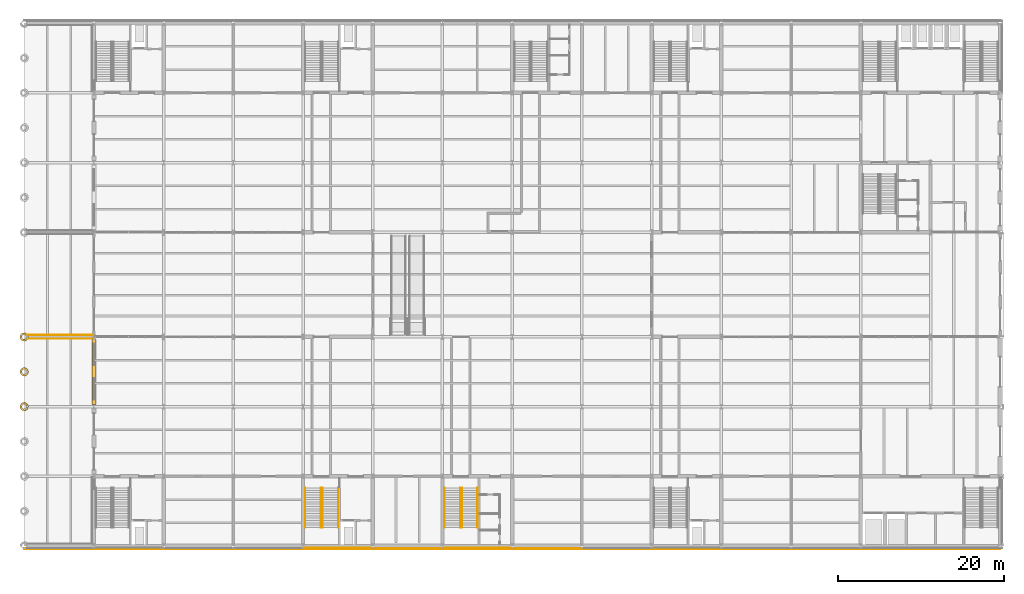
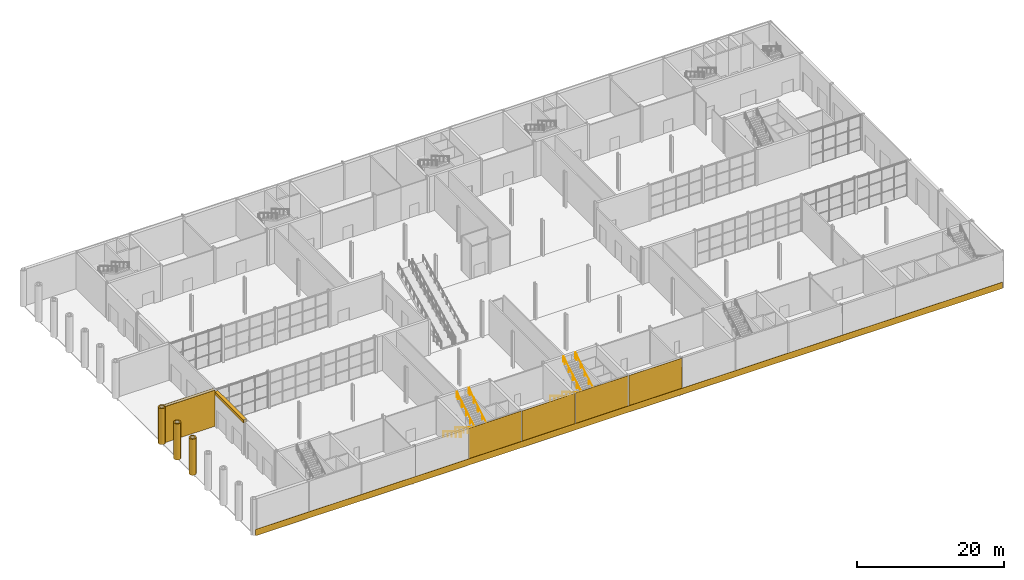
# One storey, part 42 of 55: 11 coverings, 8 railings.
"""IFC4 building model written with IfcOpenShell, lengths in metres."""

from ifc_helpers import new_model, si_unit, direction, frame, origin, origin_2d, place, context, subcontext, project, spatial, polyline, rectangle, circle, outline, extrude, material, layer, layer_set, type_object, element, save


model = new_model("IFC4")

# Units and contexts
model_context = context("Model", 3, precision=1e-05, world=origin(), true_north=direction((0.0, 1.0)))
body_context = subcontext(model_context, "Body", "Model", "MODEL_VIEW")
ifc_project = project(units=[si_unit("LENGTHUNIT", "METRE"), si_unit("AREAUNIT", "SQUARE_METRE"), si_unit("VOLUMEUNIT", "CUBIC_METRE"), si_unit("PLANEANGLEUNIT", "RADIAN"), si_unit("MASSUNIT", "GRAM", prefix="KILO")], contexts=[model_context])

# Site, building, storey
site_placement = place(None, origin())
site = spatial("IfcSite", under=ifc_project, at=site_placement, CompositionType="ELEMENT")
building_placement = place(site_placement, origin())
building = spatial("IfcBuilding", under=site, at=building_placement, Name="Galleria Vessillo Department Store", CompositionType="ELEMENT")
storey_placement = place(building_placement, origin())
storey = spatial("IfcBuildingStorey", under=building, at=storey_placement, Name="L00", CompositionType="ELEMENT", Elevation=0.0)

# Coverings
ifc_material_1 = material(Name="Lime plaster (intonaco) ochre")
ifc_layer_1 = layer(ifc_material_1, 0.030029296875)
ifc_layer_set_1 = layer_set([ifc_layer_1], Name="Lime plaster (intonaco) ochre")
covering_type_1 = type_object("IfcCoveringType", Name="Lime plaster render 30 mm", PredefinedType="CLADDING", material=ifc_layer_set_1)
covering_1_placement = place(storey_placement, frame((37.800048828125, -0.215087890625, 0.0), z_axis=(0.0, 0.0, 1.0), x_axis=(1.0, 0.0, 0.0)))
element("IfcCovering", 1, at=covering_1_placement, inside=storey, type_object=covering_type_1, Name="Wall cladding S-CW-PC-SM-PARTY-L00", PredefinedType="CLADDING", context=body_context, shape_type="SweptSolid", body=[
    extrude(rectangle(XDim=8.33984375, YDim=0.030029296875, at=origin_2d()), origin(), (0.0, 0.0, 1.0), 6.0),
])
for number, where, z_axis, x_axis, name in (
    (2, (46.199951171875, -0.264892578125, 0.0), (0.0, 0.0, 1.0), (1.0, 0.0, 0.0), "Wall cladding S-PS-L00-04"),
    (3, (54.599853515625, -0.215087890625, 0.0), (0.0, 0.0, 1.0), (1.0, 0.0, 0.0), "Wall cladding S-CW-PC-SC-PARTY-L00"),
    (4, (63.0, -0.264892578125, 0.0), (0.0, 0.0, 1.0), (1.0, 0.0, 0.0), "Wall cladding S-PS-L00-05"),
):
    element("IfcCovering", number, at=place(storey_placement, frame(where, z_axis=z_axis, x_axis=x_axis)), inside=storey, type_object=covering_type_1, Name=name, PredefinedType="CLADDING", context=body_context, shape_type="SweptSolid", body=[
        extrude(rectangle(XDim=8.340087890625, YDim=0.030029296875, at=origin_2d()), origin(), (0.0, 0.0, 1.0), 6.0),
    ])
ifc_material_2 = material(Name="Botticino limestone ashlar", Category="masonry")
ifc_layer_2 = layer(ifc_material_2, 0.195068359375)
ifc_layer_set_2 = layer_set([ifc_layer_2], Name="Botticino limestone ashlar")
covering_type_2 = type_object("IfcCoveringType", Name="Limestone column drum cladding 1000 mm", PredefinedType="CLADDING", material=ifc_layer_set_2)
covering_2_placement = place(storey_placement, origin())
element("IfcCovering", 5, at=covering_2_placement, inside=storey, type_object=covering_type_2, Name="Column drum cladding L00 y=16.8", PredefinedType="CLADDING", context=body_context, shape_type="SweptSolid", body=[
    extrude(outline(polyline([(0.5, 16.800048828125), (0.49560546875, 16.865234375), (0.48291015625, 16.929443359375), (0.4619140625, 16.991455078125), (0.43310546875, 17.050048828125), (0.396728515625, 17.1044921875), (0.353515625, 17.153564453125), (0.304443359375, 17.19677734375), (0.25, 17.233154296875), (0.19140625, 17.261962890625), (0.12939453125, 17.282958984375), (0.065185546875, 17.295654296875), (0.0, 17.300048828125), (-0.065185546875, 17.295654296875), (-0.12939453125, 17.282958984375), (-0.19140625, 17.261962890625), (-0.25, 17.233154296875), (-0.304443359375, 17.19677734375), (-0.353515625, 17.153564453125), (-0.396728515625, 17.1044921875), (-0.43310546875, 17.050048828125), (-0.4619140625, 16.991455078125), (-0.48291015625, 16.929443359375), (-0.49560546875, 16.865234375), (-0.5, 16.800048828125), (-0.49560546875, 16.73486328125), (-0.48291015625, 16.670654296875), (-0.4619140625, 16.608642578125), (-0.43310546875, 16.550048828125), (-0.396728515625, 16.49560546875), (-0.353515625, 16.446533203125), (-0.304443359375, 16.4033203125), (-0.25, 16.366943359375), (-0.19140625, 16.338134765625), (-0.12939453125, 16.317138671875), (-0.065185546875, 16.304443359375), (0.0, 16.300048828125), (0.065185546875, 16.304443359375), (0.12939453125, 16.317138671875), (0.19140625, 16.338134765625), (0.25, 16.366943359375), (0.304443359375, 16.4033203125), (0.353515625, 16.446533203125), (0.396728515625, 16.49560546875), (0.43310546875, 16.550048828125), (0.4619140625, 16.608642578125), (0.48291015625, 16.670654296875), (0.49560546875, 16.73486328125), (0.5, 16.800048828125)]), holes=[polyline([(0.3056640625, 16.800048828125), (0.302978515625, 16.83984375), (0.295166015625, 16.879150390625), (0.282470703125, 16.9169921875), (0.2646484375, 16.952880859375), (0.242431640625, 16.986083984375), (0.216064453125, 17.01611328125), (0.18603515625, 17.04248046875), (0.15283203125, 17.064697265625), (0.116943359375, 17.08251953125), (0.0791015625, 17.09521484375), (0.039794921875, 17.10302734375), (0.0, 17.105712890625), (-0.039794921875, 17.10302734375), (-0.0791015625, 17.09521484375), (-0.116943359375, 17.08251953125), (-0.15283203125, 17.064697265625), (-0.18603515625, 17.04248046875), (-0.216064453125, 17.01611328125), (-0.242431640625, 16.986083984375), (-0.2646484375, 16.952880859375), (-0.282470703125, 16.9169921875), (-0.295166015625, 16.879150390625), (-0.302978515625, 16.83984375), (-0.3056640625, 16.800048828125), (-0.302978515625, 16.76025390625), (-0.295166015625, 16.720947265625), (-0.282470703125, 16.68310546875), (-0.2646484375, 16.647216796875), (-0.242431640625, 16.614013671875), (-0.216064453125, 16.583984375), (-0.18603515625, 16.5576171875), (-0.15283203125, 16.535400390625), (-0.116943359375, 16.517578125), (-0.0791015625, 16.5048828125), (-0.039794921875, 16.4970703125), (0.0, 16.494384765625), (0.039794921875, 16.4970703125), (0.0791015625, 16.5048828125), (0.116943359375, 16.517578125), (0.15283203125, 16.535400390625), (0.18603515625, 16.5576171875), (0.216064453125, 16.583984375), (0.242431640625, 16.614013671875), (0.2646484375, 16.647216796875), (0.282470703125, 16.68310546875), (0.295166015625, 16.720947265625), (0.302978515625, 16.76025390625), (0.3056640625, 16.800048828125)])]), origin(), (0.0, 0.0, 1.0), 6.0),
])
covering_3_placement = place(storey_placement, origin())
element("IfcCovering", 6, at=covering_3_placement, inside=storey, type_object=covering_type_2, Name="Column drum cladding L00 y=21.0", PredefinedType="CLADDING", context=body_context, shape_type="SweptSolid", body=[
    extrude(outline(polyline([(0.5, 21.0), (0.49560546875, 21.065185546875), (0.48291015625, 21.12939453125), (0.4619140625, 21.19140625), (0.43310546875, 21.25), (0.396728515625, 21.304443359375), (0.353515625, 21.353515625), (0.304443359375, 21.396728515625), (0.25, 21.43310546875), (0.19140625, 21.4619140625), (0.12939453125, 21.48291015625), (0.065185546875, 21.49560546875), (0.0, 21.5), (-0.065185546875, 21.49560546875), (-0.12939453125, 21.48291015625), (-0.19140625, 21.4619140625), (-0.25, 21.43310546875), (-0.304443359375, 21.396728515625), (-0.353515625, 21.353515625), (-0.396728515625, 21.304443359375), (-0.43310546875, 21.25), (-0.4619140625, 21.19140625), (-0.48291015625, 21.12939453125), (-0.49560546875, 21.065185546875), (-0.5, 21.0), (-0.49560546875, 20.934814453125), (-0.48291015625, 20.87060546875), (-0.4619140625, 20.80859375), (-0.43310546875, 20.75), (-0.396728515625, 20.695556640625), (-0.353515625, 20.646484375), (-0.304443359375, 20.603271484375), (-0.25, 20.56689453125), (-0.19140625, 20.5380859375), (-0.12939453125, 20.51708984375), (-0.065185546875, 20.50439453125), (0.0, 20.5), (0.065185546875, 20.50439453125), (0.12939453125, 20.51708984375), (0.19140625, 20.5380859375), (0.25, 20.56689453125), (0.304443359375, 20.603271484375), (0.353515625, 20.646484375), (0.396728515625, 20.695556640625), (0.43310546875, 20.75), (0.4619140625, 20.80859375), (0.48291015625, 20.87060546875), (0.49560546875, 20.934814453125), (0.5, 21.0)]), holes=[polyline([(0.3056640625, 21.0), (0.302978515625, 21.039794921875), (0.295166015625, 21.0791015625), (0.282470703125, 21.116943359375), (0.2646484375, 21.15283203125), (0.242431640625, 21.18603515625), (0.216064453125, 21.216064453125), (0.18603515625, 21.242431640625), (0.15283203125, 21.2646484375), (0.116943359375, 21.282470703125), (0.0791015625, 21.295166015625), (0.039794921875, 21.302978515625), (0.0, 21.3056640625), (-0.039794921875, 21.302978515625), (-0.0791015625, 21.295166015625), (-0.116943359375, 21.282470703125), (-0.15283203125, 21.2646484375), (-0.18603515625, 21.242431640625), (-0.216064453125, 21.216064453125), (-0.242431640625, 21.18603515625), (-0.2646484375, 21.15283203125), (-0.282470703125, 21.116943359375), (-0.295166015625, 21.0791015625), (-0.302978515625, 21.039794921875), (-0.3056640625, 21.0), (-0.302978515625, 20.960205078125), (-0.295166015625, 20.9208984375), (-0.282470703125, 20.883056640625), (-0.2646484375, 20.84716796875), (-0.242431640625, 20.81396484375), (-0.216064453125, 20.783935546875), (-0.18603515625, 20.757568359375), (-0.15283203125, 20.7353515625), (-0.116943359375, 20.717529296875), (-0.0791015625, 20.704833984375), (-0.039794921875, 20.697021484375), (0.0, 20.6943359375), (0.039794921875, 20.697021484375), (0.0791015625, 20.704833984375), (0.116943359375, 20.717529296875), (0.15283203125, 20.7353515625), (0.18603515625, 20.757568359375), (0.216064453125, 20.783935546875), (0.242431640625, 20.81396484375), (0.2646484375, 20.84716796875), (0.282470703125, 20.883056640625), (0.295166015625, 20.9208984375), (0.302978515625, 20.960205078125), (0.3056640625, 21.0)])]), origin(), (0.0, 0.0, 1.0), 6.0),
])
covering_4_placement = place(storey_placement, origin())
element("IfcCovering", 7, at=covering_4_placement, inside=storey, type_object=covering_type_2, Name="Column drum cladding L00 y=25.2", PredefinedType="CLADDING", context=body_context, shape_type="SweptSolid", body=[
    extrude(outline(polyline([(0.5, 25.199951171875), (0.49560546875, 25.26513671875), (0.48291015625, 25.329345703125), (0.4619140625, 25.391357421875), (0.43310546875, 25.449951171875), (0.396728515625, 25.50439453125), (0.353515625, 25.553466796875), (0.304443359375, 25.5966796875), (0.25, 25.633056640625), (0.19140625, 25.661865234375), (0.12939453125, 25.682861328125), (0.065185546875, 25.695556640625), (0.0, 25.699951171875), (-0.065185546875, 25.695556640625), (-0.12939453125, 25.682861328125), (-0.19140625, 25.661865234375), (-0.25, 25.633056640625), (-0.304443359375, 25.5966796875), (-0.353515625, 25.553466796875), (-0.396728515625, 25.50439453125), (-0.43310546875, 25.449951171875), (-0.4619140625, 25.391357421875), (-0.48291015625, 25.329345703125), (-0.49560546875, 25.26513671875), (-0.5, 25.199951171875), (-0.49560546875, 25.134765625), (-0.48291015625, 25.070556640625), (-0.4619140625, 25.008544921875), (-0.43310546875, 24.949951171875), (-0.396728515625, 24.8955078125), (-0.353515625, 24.846435546875), (-0.304443359375, 24.80322265625), (-0.25, 24.766845703125), (-0.19140625, 24.738037109375), (-0.12939453125, 24.717041015625), (-0.065185546875, 24.704345703125), (0.0, 24.699951171875), (0.065185546875, 24.704345703125), (0.12939453125, 24.717041015625), (0.19140625, 24.738037109375), (0.25, 24.766845703125), (0.304443359375, 24.80322265625), (0.353515625, 24.846435546875), (0.396728515625, 24.8955078125), (0.43310546875, 24.949951171875), (0.4619140625, 25.008544921875), (0.48291015625, 25.070556640625), (0.49560546875, 25.134765625), (0.5, 25.199951171875)]), holes=[polyline([(0.3056640625, 25.199951171875), (0.302978515625, 25.23974609375), (0.295166015625, 25.279052734375), (0.282470703125, 25.31689453125), (0.2646484375, 25.352783203125), (0.242431640625, 25.385986328125), (0.216064453125, 25.416015625), (0.18603515625, 25.4423828125), (0.15283203125, 25.464599609375), (0.116943359375, 25.482421875), (0.0791015625, 25.4951171875), (0.039794921875, 25.5029296875), (0.0, 25.505615234375), (-0.039794921875, 25.5029296875), (-0.0791015625, 25.4951171875), (-0.116943359375, 25.482421875), (-0.15283203125, 25.464599609375), (-0.18603515625, 25.4423828125), (-0.216064453125, 25.416015625), (-0.242431640625, 25.385986328125), (-0.2646484375, 25.352783203125), (-0.282470703125, 25.31689453125), (-0.295166015625, 25.279052734375), (-0.302978515625, 25.23974609375), (-0.3056640625, 25.199951171875), (-0.302978515625, 25.16015625), (-0.295166015625, 25.120849609375), (-0.282470703125, 25.0830078125), (-0.2646484375, 25.047119140625), (-0.242431640625, 25.013916015625), (-0.216064453125, 24.98388671875), (-0.18603515625, 24.95751953125), (-0.15283203125, 24.935302734375), (-0.116943359375, 24.91748046875), (-0.0791015625, 24.90478515625), (-0.039794921875, 24.89697265625), (0.0, 24.894287109375), (0.039794921875, 24.89697265625), (0.0791015625, 24.90478515625), (0.116943359375, 24.91748046875), (0.15283203125, 24.935302734375), (0.18603515625, 24.95751953125), (0.216064453125, 24.98388671875), (0.242431640625, 25.013916015625), (0.2646484375, 25.047119140625), (0.282470703125, 25.0830078125), (0.295166015625, 25.120849609375), (0.302978515625, 25.16015625), (0.3056640625, 25.199951171875)])]), origin(), (0.0, 0.0, 1.0), 6.0),
])
ifc_material_3 = material(Name="Botticino limestone ashlar", Category="masonry")
ifc_layer_3 = layer(ifc_material_3, 0.10009765625)
ifc_layer_set_3 = layer_set([ifc_layer_3], Name="Botticino limestone ashlar")
covering_type_3 = type_object("IfcCoveringType", Name="Limestone flank plinth 1000 x 100", PredefinedType="MOLDING", material=ifc_layer_set_3)
covering_5_placement = place(storey_placement, frame((117.60009765625, 0.0, 0.0), z_axis=(-1.0, 0.0, 0.0), x_axis=(0.0, -1.0, 0.0)))
element("IfcCovering", 8, at=covering_5_placement, inside=storey, type_object=covering_type_3, Name="Flank plinth S", PredefinedType="MOLDING", context=body_context, shape_type="SweptSolid", body=[
    extrude(outline(polyline([(0.280029296875, 0.0), (0.3798828125, 0.0), (0.3798828125, 0.85009765625), (0.340087890625, 1.0), (0.280029296875, 1.0), (0.280029296875, 0.0)])), origin(), (0.0, 0.0, 1.0), 117.60009765625),
])
ifc_material_4 = material(Name="Botticino limestone ashlar", Category="masonry")
ifc_layer_4 = layer(ifc_material_4, 0.5)
ifc_layer_set_4 = layer_set([ifc_layer_4], Name="Botticino limestone ashlar")
covering_type_4 = type_object("IfcCoveringType", Name="Limestone lintel frieze 500 mm", PredefinedType="CLADDING", material=ifc_layer_set_4)
covering_6_placement = place(storey_placement, frame((8.39990234375, 20.9580078125, 5.35986328125), z_axis=(0.0, 0.0, 1.0), x_axis=(1.0, 0.0, 0.0)))
element("IfcCovering", 9, at=covering_6_placement, inside=storey, type_object=covering_type_4, Name="Lintel frieze LB-L00-02", PredefinedType="CLADDING", context=body_context, shape_type="SweptSolid", body=[
    extrude(rectangle(XDim=0.5, YDim=7.81591796875, at=origin_2d()), origin(), (0.0, 0.0, 1.0), 0.490234375),
])
ifc_material_5 = material(Name="Botticino limestone ashlar", Category="masonry")
ifc_layer_5 = layer(ifc_material_5, 0.050048828125)
ifc_layer_set_5 = layer_set([ifc_layer_5], Name="Botticino limestone ashlar")
covering_type_5 = type_object("IfcCoveringType", Name="Limestone portal reveal cladding 50 mm", PredefinedType="CLADDING", material=ifc_layer_set_5)
for number, where, z_axis, x_axis, name in (
    (10, (4.276123046875, 24.974853515625, 0.0), (0.0, 0.0, 1.0), (1.0, 0.0, 0.0), "Portal reveal cladding PW-S-L00-01 a"),
    (11, (4.276123046875, 25.425048828125, 0.0), (0.0, 0.0, 1.0), (1.0, 0.0, 0.0), "Portal reveal cladding PW-S-L00-01 b"),
):
    element("IfcCovering", number, at=place(storey_placement, frame(where, z_axis=z_axis, x_axis=x_axis)), inside=storey, type_object=covering_type_5, Name=name, PredefinedType="CLADDING", context=body_context, shape_type="SweptSolid", body=[
        extrude(rectangle(XDim=7.9423828125, YDim=0.050048828125, at=origin_2d()), origin(), (0.0, 0.0, 1.0), 6.0),
    ])

# Railings
ifc_material_6 = material(Name="Stainless steel tube", Category="steel")
railing_type = type_object("IfcRailingType", Name="Stair handrail steel tube 48 mm", PredefinedType="HANDRAIL", material=ifc_material_6)
railing_1_placement = place(storey_placement, frame((35.739990234375, 7.0, 0.166748046875)))
element("IfcRailing", 12, at=railing_1_placement, inside=storey, type_object=railing_type, Name="Handrail ST3 L00 flight 1A", PredefinedType="HANDRAIL", context=body_context, shape_type="SweptSolid", body=[
    extrude(circle(Radius=0.02392578125, at=origin_2d()), frame((0.0, 0.0, 0.89599609375), z_axis=(0.0, -0.859371278866, 0.511352134112), x_axis=(1.0, 0.0, 0.0)), (0.0, 0.0, 1.0), 1.303466796875),
    extrude(circle(Radius=0.02392578125, at=origin_2d()), frame((0.0, -1.1201171875, 1.5625), z_axis=(0.0, -0.859239953289, 0.511572773584), x_axis=(1.0, 0.0, 0.0)), (0.0, 0.0, 1.0), 1.30322265625),
    extrude(circle(Radius=0.02392578125, at=origin_2d()), frame((0.0, -2.239990234375, 2.22900390625), z_axis=(0.0, -0.859288964532, 0.511490445104), x_axis=(1.0, 0.0, 0.0)), (0.0, 0.0, 1.0), 1.303466796875),
    extrude(circle(Radius=0.02392578125, at=origin_2d()), frame((0.0, -3.360107421875, 2.89599609375), z_axis=(0.0, -0.85932228943, 0.511434456103), x_axis=(1.0, 0.0, 0.0)), (0.0, 0.0, 1.0), 1.30322265625),
    extrude(circle(Radius=0.02392578125, at=origin_2d()), frame((0.0, -4.47998046875, 3.5625), z_axis=(0.0, -0.859206643714, 0.511628716353), x_axis=(1.0, 0.0, 0.0)), (0.0, 0.0, 1.0), 0.325927734375),
    extrude(circle(Radius=0.02099609375, at=origin_2d()), origin(), (0.0, 0.0, 1.0), 0.871826171875),
    extrude(circle(Radius=0.02099609375, at=origin_2d()), frame((0.0, -1.1201171875, 0.66650390625)), (0.0, 0.0, 1.0), 0.871826171875),
    extrude(circle(Radius=0.02099609375, at=origin_2d()), frame((0.0, -2.239990234375, 1.333251953125)), (0.0, 0.0, 1.0), 0.871826171875),
    extrude(circle(Radius=0.02099609375, at=origin_2d()), frame((0.0, -3.360107421875, 2.0)), (0.0, 0.0, 1.0), 0.871826171875),
    extrude(circle(Radius=0.02099609375, at=origin_2d()), frame((0.0, -4.47998046875, 2.66650390625)), (0.0, 0.0, 1.0), 0.871826171875),
    extrude(circle(Radius=0.02099609375, at=origin_2d()), frame((0.0, -4.760009765625, 2.833251953125)), (0.0, 0.0, 1.0), 0.871826171875),
])
railing_2_placement = place(storey_placement, frame((33.860107421875, 7.0, 0.166748046875)))
element("IfcRailing", 13, at=railing_2_placement, inside=storey, type_object=railing_type, Name="Handrail ST3 L00 flight 1B", PredefinedType="HANDRAIL", context=body_context, shape_type="SweptSolid", body=[
    extrude(circle(Radius=0.02392578125, at=origin_2d()), frame((0.0, 0.0, 0.89599609375), z_axis=(0.0, -0.859371278866, 0.511352134112), x_axis=(1.0, 0.0, 0.0)), (0.0, 0.0, 1.0), 1.303466796875),
    extrude(circle(Radius=0.02392578125, at=origin_2d()), frame((0.0, -1.1201171875, 1.5625), z_axis=(0.0, -0.859239953289, 0.511572773584), x_axis=(1.0, 0.0, 0.0)), (0.0, 0.0, 1.0), 1.30322265625),
    extrude(circle(Radius=0.02392578125, at=origin_2d()), frame((0.0, -2.239990234375, 2.22900390625), z_axis=(0.0, -0.859288964532, 0.511490445104), x_axis=(1.0, 0.0, 0.0)), (0.0, 0.0, 1.0), 1.303466796875),
    extrude(circle(Radius=0.02392578125, at=origin_2d()), frame((0.0, -3.360107421875, 2.89599609375), z_axis=(0.0, -0.85932228943, 0.511434456103), x_axis=(1.0, 0.0, 0.0)), (0.0, 0.0, 1.0), 1.30322265625),
    extrude(circle(Radius=0.02392578125, at=origin_2d()), frame((0.0, -4.47998046875, 3.5625), z_axis=(0.0, -0.859206643714, 0.511628716353), x_axis=(1.0, 0.0, 0.0)), (0.0, 0.0, 1.0), 0.325927734375),
    extrude(circle(Radius=0.02099609375, at=origin_2d()), origin(), (0.0, 0.0, 1.0), 0.871826171875),
    extrude(circle(Radius=0.02099609375, at=origin_2d()), frame((0.0, -1.1201171875, 0.66650390625)), (0.0, 0.0, 1.0), 0.871826171875),
    extrude(circle(Radius=0.02099609375, at=origin_2d()), frame((0.0, -2.239990234375, 1.333251953125)), (0.0, 0.0, 1.0), 0.871826171875),
    extrude(circle(Radius=0.02099609375, at=origin_2d()), frame((0.0, -3.360107421875, 2.0)), (0.0, 0.0, 1.0), 0.871826171875),
    extrude(circle(Radius=0.02099609375, at=origin_2d()), frame((0.0, -4.47998046875, 2.66650390625)), (0.0, 0.0, 1.0), 0.871826171875),
    extrude(circle(Radius=0.02099609375, at=origin_2d()), frame((0.0, -4.760009765625, 2.833251953125)), (0.0, 0.0, 1.0), 0.871826171875),
])
railing_3_placement = place(storey_placement, frame((35.9599609375, 2.239990234375, 3.166748046875)))
element("IfcRailing", 14, at=railing_3_placement, inside=storey, type_object=railing_type, Name="Handrail ST3 L00 flight 2A", PredefinedType="HANDRAIL", context=body_context, shape_type="SweptSolid", body=[
    extrude(circle(Radius=0.02392578125, at=origin_2d()), frame((0.0, 0.0, 0.89599609375), z_axis=(0.0, 0.859371278866, 0.511352134112), x_axis=(-1.0, 0.0, 0.0)), (0.0, 0.0, 1.0), 1.303466796875),
    extrude(circle(Radius=0.02392578125, at=origin_2d()), frame((0.0, 1.1201171875, 1.5625), z_axis=(0.0, 0.859239953289, 0.511572773584), x_axis=(-1.0, 0.0, 0.0)), (0.0, 0.0, 1.0), 1.30322265625),
    extrude(circle(Radius=0.02392578125, at=origin_2d()), frame((0.0, 2.239990234375, 2.22900390625), z_axis=(0.0, 0.859288964532, 0.511490445104), x_axis=(-1.0, 0.0, 0.0)), (0.0, 0.0, 1.0), 1.303466796875),
    extrude(circle(Radius=0.02392578125, at=origin_2d()), frame((0.0, 3.360107421875, 2.89599609375), z_axis=(0.0, 0.85932228943, 0.511434456103), x_axis=(-1.0, 0.0, 0.0)), (0.0, 0.0, 1.0), 1.30322265625),
    extrude(circle(Radius=0.02392578125, at=origin_2d()), frame((0.0, 4.47998046875, 3.5625), z_axis=(0.0, 0.859206643714, 0.511628716353), x_axis=(-1.0, 0.0, 0.0)), (0.0, 0.0, 1.0), 0.325927734375),
    extrude(circle(Radius=0.02099609375, at=origin_2d()), origin(), (0.0, 0.0, 1.0), 0.871826171875),
    extrude(circle(Radius=0.02099609375, at=origin_2d()), frame((0.0, 1.1201171875, 0.66650390625)), (0.0, 0.0, 1.0), 0.871826171875),
    extrude(circle(Radius=0.02099609375, at=origin_2d()), frame((0.0, 2.239990234375, 1.333251953125)), (0.0, 0.0, 1.0), 0.871826171875),
    extrude(circle(Radius=0.02099609375, at=origin_2d()), frame((0.0, 3.360107421875, 2.0)), (0.0, 0.0, 1.0), 0.871826171875),
    extrude(circle(Radius=0.02099609375, at=origin_2d()), frame((0.0, 4.47998046875, 2.66650390625)), (0.0, 0.0, 1.0), 0.871826171875),
    extrude(circle(Radius=0.02099609375, at=origin_2d()), frame((0.0, 4.760009765625, 2.833251953125)), (0.0, 0.0, 1.0), 0.871826171875),
])
railing_4_placement = place(storey_placement, frame((37.83984375, 2.239990234375, 3.166748046875)))
element("IfcRailing", 15, at=railing_4_placement, inside=storey, type_object=railing_type, Name="Handrail ST3 L00 flight 2B", PredefinedType="HANDRAIL", context=body_context, shape_type="SweptSolid", body=[
    extrude(circle(Radius=0.02392578125, at=origin_2d()), frame((0.0, 0.0, 0.89599609375), z_axis=(0.0, 0.859371278866, 0.511352134112), x_axis=(-1.0, 0.0, 0.0)), (0.0, 0.0, 1.0), 1.303466796875),
    extrude(circle(Radius=0.02392578125, at=origin_2d()), frame((0.0, 1.1201171875, 1.5625), z_axis=(0.0, 0.859239953289, 0.511572773584), x_axis=(-1.0, 0.0, 0.0)), (0.0, 0.0, 1.0), 1.30322265625),
    extrude(circle(Radius=0.02392578125, at=origin_2d()), frame((0.0, 2.239990234375, 2.22900390625), z_axis=(0.0, 0.859288964532, 0.511490445104), x_axis=(-1.0, 0.0, 0.0)), (0.0, 0.0, 1.0), 1.303466796875),
    extrude(circle(Radius=0.02392578125, at=origin_2d()), frame((0.0, 3.360107421875, 2.89599609375), z_axis=(0.0, 0.85932228943, 0.511434456103), x_axis=(-1.0, 0.0, 0.0)), (0.0, 0.0, 1.0), 1.30322265625),
    extrude(circle(Radius=0.02392578125, at=origin_2d()), frame((0.0, 4.47998046875, 3.5625), z_axis=(0.0, 0.859206643714, 0.511628716353), x_axis=(-1.0, 0.0, 0.0)), (0.0, 0.0, 1.0), 0.325927734375),
    extrude(circle(Radius=0.02099609375, at=origin_2d()), origin(), (0.0, 0.0, 1.0), 0.871826171875),
    extrude(circle(Radius=0.02099609375, at=origin_2d()), frame((0.0, 1.1201171875, 0.66650390625)), (0.0, 0.0, 1.0), 0.871826171875),
    extrude(circle(Radius=0.02099609375, at=origin_2d()), frame((0.0, 2.239990234375, 1.333251953125)), (0.0, 0.0, 1.0), 0.871826171875),
    extrude(circle(Radius=0.02099609375, at=origin_2d()), frame((0.0, 3.360107421875, 2.0)), (0.0, 0.0, 1.0), 0.871826171875),
    extrude(circle(Radius=0.02099609375, at=origin_2d()), frame((0.0, 4.47998046875, 2.66650390625)), (0.0, 0.0, 1.0), 0.871826171875),
    extrude(circle(Radius=0.02099609375, at=origin_2d()), frame((0.0, 4.760009765625, 2.833251953125)), (0.0, 0.0, 1.0), 0.871826171875),
])
railing_5_placement = place(storey_placement, frame((52.5400390625, 7.0, 0.166748046875)))
element("IfcRailing", 16, at=railing_5_placement, inside=storey, type_object=railing_type, Name="Handrail ST10 L00 flight 1A", PredefinedType="HANDRAIL", context=body_context, shape_type="SweptSolid", body=[
    extrude(circle(Radius=0.02392578125, at=origin_2d()), frame((0.0, 0.0, 0.89599609375), z_axis=(0.0, -0.859371278866, 0.511352134112), x_axis=(1.0, 0.0, 0.0)), (0.0, 0.0, 1.0), 1.303466796875),
    extrude(circle(Radius=0.02392578125, at=origin_2d()), frame((0.0, -1.1201171875, 1.5625), z_axis=(0.0, -0.859239953289, 0.511572773584), x_axis=(1.0, 0.0, 0.0)), (0.0, 0.0, 1.0), 1.30322265625),
    extrude(circle(Radius=0.02392578125, at=origin_2d()), frame((0.0, -2.239990234375, 2.22900390625), z_axis=(0.0, -0.859288964532, 0.511490445104), x_axis=(1.0, 0.0, 0.0)), (0.0, 0.0, 1.0), 1.303466796875),
    extrude(circle(Radius=0.02392578125, at=origin_2d()), frame((0.0, -3.360107421875, 2.89599609375), z_axis=(0.0, -0.85932228943, 0.511434456103), x_axis=(1.0, 0.0, 0.0)), (0.0, 0.0, 1.0), 1.30322265625),
    extrude(circle(Radius=0.02392578125, at=origin_2d()), frame((0.0, -4.47998046875, 3.5625), z_axis=(0.0, -0.859206643714, 0.511628716353), x_axis=(1.0, 0.0, 0.0)), (0.0, 0.0, 1.0), 0.325927734375),
    extrude(circle(Radius=0.02099609375, at=origin_2d()), origin(), (0.0, 0.0, 1.0), 0.871826171875),
    extrude(circle(Radius=0.02099609375, at=origin_2d()), frame((0.0, -1.1201171875, 0.66650390625)), (0.0, 0.0, 1.0), 0.871826171875),
    extrude(circle(Radius=0.02099609375, at=origin_2d()), frame((0.0, -2.239990234375, 1.333251953125)), (0.0, 0.0, 1.0), 0.871826171875),
    extrude(circle(Radius=0.02099609375, at=origin_2d()), frame((0.0, -3.360107421875, 2.0)), (0.0, 0.0, 1.0), 0.871826171875),
    extrude(circle(Radius=0.02099609375, at=origin_2d()), frame((0.0, -4.47998046875, 2.66650390625)), (0.0, 0.0, 1.0), 0.871826171875),
    extrude(circle(Radius=0.02099609375, at=origin_2d()), frame((0.0, -4.760009765625, 2.833251953125)), (0.0, 0.0, 1.0), 0.871826171875),
])
railing_6_placement = place(storey_placement, frame((50.66015625, 7.0, 0.166748046875)))
element("IfcRailing", 17, at=railing_6_placement, inside=storey, type_object=railing_type, Name="Handrail ST10 L00 flight 1B", PredefinedType="HANDRAIL", context=body_context, shape_type="SweptSolid", body=[
    extrude(circle(Radius=0.02392578125, at=origin_2d()), frame((0.0, 0.0, 0.89599609375), z_axis=(0.0, -0.859371278866, 0.511352134112), x_axis=(1.0, 0.0, 0.0)), (0.0, 0.0, 1.0), 1.303466796875),
    extrude(circle(Radius=0.02392578125, at=origin_2d()), frame((0.0, -1.1201171875, 1.5625), z_axis=(0.0, -0.859239953289, 0.511572773584), x_axis=(1.0, 0.0, 0.0)), (0.0, 0.0, 1.0), 1.30322265625),
    extrude(circle(Radius=0.02392578125, at=origin_2d()), frame((0.0, -2.239990234375, 2.22900390625), z_axis=(0.0, -0.859288964532, 0.511490445104), x_axis=(1.0, 0.0, 0.0)), (0.0, 0.0, 1.0), 1.303466796875),
    extrude(circle(Radius=0.02392578125, at=origin_2d()), frame((0.0, -3.360107421875, 2.89599609375), z_axis=(0.0, -0.85932228943, 0.511434456103), x_axis=(1.0, 0.0, 0.0)), (0.0, 0.0, 1.0), 1.30322265625),
    extrude(circle(Radius=0.02392578125, at=origin_2d()), frame((0.0, -4.47998046875, 3.5625), z_axis=(0.0, -0.859206643714, 0.511628716353), x_axis=(1.0, 0.0, 0.0)), (0.0, 0.0, 1.0), 0.325927734375),
    extrude(circle(Radius=0.02099609375, at=origin_2d()), origin(), (0.0, 0.0, 1.0), 0.871826171875),
    extrude(circle(Radius=0.02099609375, at=origin_2d()), frame((0.0, -1.1201171875, 0.66650390625)), (0.0, 0.0, 1.0), 0.871826171875),
    extrude(circle(Radius=0.02099609375, at=origin_2d()), frame((0.0, -2.239990234375, 1.333251953125)), (0.0, 0.0, 1.0), 0.871826171875),
    extrude(circle(Radius=0.02099609375, at=origin_2d()), frame((0.0, -3.360107421875, 2.0)), (0.0, 0.0, 1.0), 0.871826171875),
    extrude(circle(Radius=0.02099609375, at=origin_2d()), frame((0.0, -4.47998046875, 2.66650390625)), (0.0, 0.0, 1.0), 0.871826171875),
    extrude(circle(Radius=0.02099609375, at=origin_2d()), frame((0.0, -4.760009765625, 2.833251953125)), (0.0, 0.0, 1.0), 0.871826171875),
])
railing_7_placement = place(storey_placement, frame((52.760009765625, 2.239990234375, 3.166748046875)))
element("IfcRailing", 18, at=railing_7_placement, inside=storey, type_object=railing_type, Name="Handrail ST10 L00 flight 2A", PredefinedType="HANDRAIL", context=body_context, shape_type="SweptSolid", body=[
    extrude(circle(Radius=0.02392578125, at=origin_2d()), frame((0.0, 0.0, 0.89599609375), z_axis=(0.0, 0.859371278866, 0.511352134112), x_axis=(-1.0, 0.0, 0.0)), (0.0, 0.0, 1.0), 1.303466796875),
    extrude(circle(Radius=0.02392578125, at=origin_2d()), frame((0.0, 1.1201171875, 1.5625), z_axis=(0.0, 0.859239953289, 0.511572773584), x_axis=(-1.0, 0.0, 0.0)), (0.0, 0.0, 1.0), 1.30322265625),
    extrude(circle(Radius=0.02392578125, at=origin_2d()), frame((0.0, 2.239990234375, 2.22900390625), z_axis=(0.0, 0.859288964532, 0.511490445104), x_axis=(-1.0, 0.0, 0.0)), (0.0, 0.0, 1.0), 1.303466796875),
    extrude(circle(Radius=0.02392578125, at=origin_2d()), frame((0.0, 3.360107421875, 2.89599609375), z_axis=(0.0, 0.85932228943, 0.511434456103), x_axis=(-1.0, 0.0, 0.0)), (0.0, 0.0, 1.0), 1.30322265625),
    extrude(circle(Radius=0.02392578125, at=origin_2d()), frame((0.0, 4.47998046875, 3.5625), z_axis=(0.0, 0.859206643714, 0.511628716353), x_axis=(-1.0, 0.0, 0.0)), (0.0, 0.0, 1.0), 0.325927734375),
    extrude(circle(Radius=0.02099609375, at=origin_2d()), origin(), (0.0, 0.0, 1.0), 0.871826171875),
    extrude(circle(Radius=0.02099609375, at=origin_2d()), frame((0.0, 1.1201171875, 0.66650390625)), (0.0, 0.0, 1.0), 0.871826171875),
    extrude(circle(Radius=0.02099609375, at=origin_2d()), frame((0.0, 2.239990234375, 1.333251953125)), (0.0, 0.0, 1.0), 0.871826171875),
    extrude(circle(Radius=0.02099609375, at=origin_2d()), frame((0.0, 3.360107421875, 2.0)), (0.0, 0.0, 1.0), 0.871826171875),
    extrude(circle(Radius=0.02099609375, at=origin_2d()), frame((0.0, 4.47998046875, 2.66650390625)), (0.0, 0.0, 1.0), 0.871826171875),
    extrude(circle(Radius=0.02099609375, at=origin_2d()), frame((0.0, 4.760009765625, 2.833251953125)), (0.0, 0.0, 1.0), 0.871826171875),
])
railing_8_placement = place(storey_placement, frame((54.639892578125, 2.239990234375, 3.166748046875)))
element("IfcRailing", 19, at=railing_8_placement, inside=storey, type_object=railing_type, Name="Handrail ST10 L00 flight 2B", PredefinedType="HANDRAIL", context=body_context, shape_type="SweptSolid", body=[
    extrude(circle(Radius=0.02392578125, at=origin_2d()), frame((0.0, 0.0, 0.89599609375), z_axis=(0.0, 0.859371278866, 0.511352134112), x_axis=(-1.0, 0.0, 0.0)), (0.0, 0.0, 1.0), 1.303466796875),
    extrude(circle(Radius=0.02392578125, at=origin_2d()), frame((0.0, 1.1201171875, 1.5625), z_axis=(0.0, 0.859239953289, 0.511572773584), x_axis=(-1.0, 0.0, 0.0)), (0.0, 0.0, 1.0), 1.30322265625),
    extrude(circle(Radius=0.02392578125, at=origin_2d()), frame((0.0, 2.239990234375, 2.22900390625), z_axis=(0.0, 0.859288964532, 0.511490445104), x_axis=(-1.0, 0.0, 0.0)), (0.0, 0.0, 1.0), 1.303466796875),
    extrude(circle(Radius=0.02392578125, at=origin_2d()), frame((0.0, 3.360107421875, 2.89599609375), z_axis=(0.0, 0.85932228943, 0.511434456103), x_axis=(-1.0, 0.0, 0.0)), (0.0, 0.0, 1.0), 1.30322265625),
    extrude(circle(Radius=0.02392578125, at=origin_2d()), frame((0.0, 4.47998046875, 3.5625), z_axis=(0.0, 0.859206643714, 0.511628716353), x_axis=(-1.0, 0.0, 0.0)), (0.0, 0.0, 1.0), 0.325927734375),
    extrude(circle(Radius=0.02099609375, at=origin_2d()), origin(), (0.0, 0.0, 1.0), 0.871826171875),
    extrude(circle(Radius=0.02099609375, at=origin_2d()), frame((0.0, 1.1201171875, 0.66650390625)), (0.0, 0.0, 1.0), 0.871826171875),
    extrude(circle(Radius=0.02099609375, at=origin_2d()), frame((0.0, 2.239990234375, 1.333251953125)), (0.0, 0.0, 1.0), 0.871826171875),
    extrude(circle(Radius=0.02099609375, at=origin_2d()), frame((0.0, 3.360107421875, 2.0)), (0.0, 0.0, 1.0), 0.871826171875),
    extrude(circle(Radius=0.02099609375, at=origin_2d()), frame((0.0, 4.47998046875, 2.66650390625)), (0.0, 0.0, 1.0), 0.871826171875),
    extrude(circle(Radius=0.02099609375, at=origin_2d()), frame((0.0, 4.760009765625, 2.833251953125)), (0.0, 0.0, 1.0), 0.871826171875),
])

save(model, "model.ifc")
